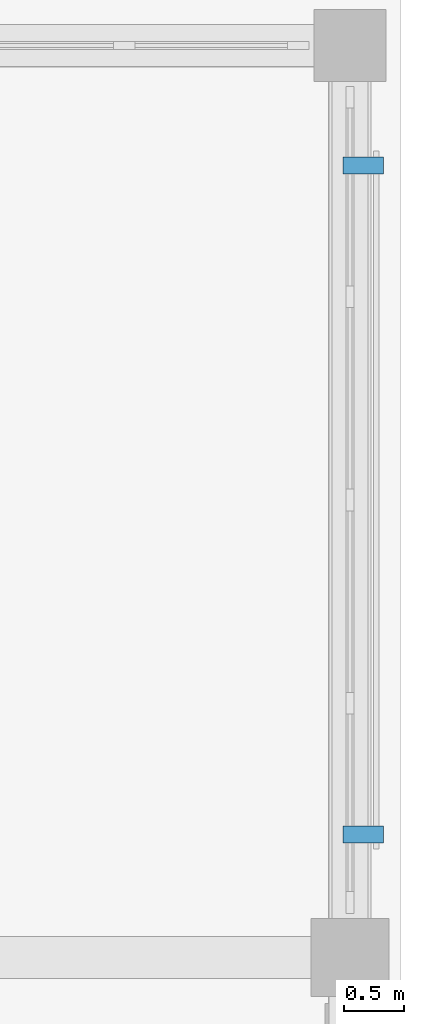
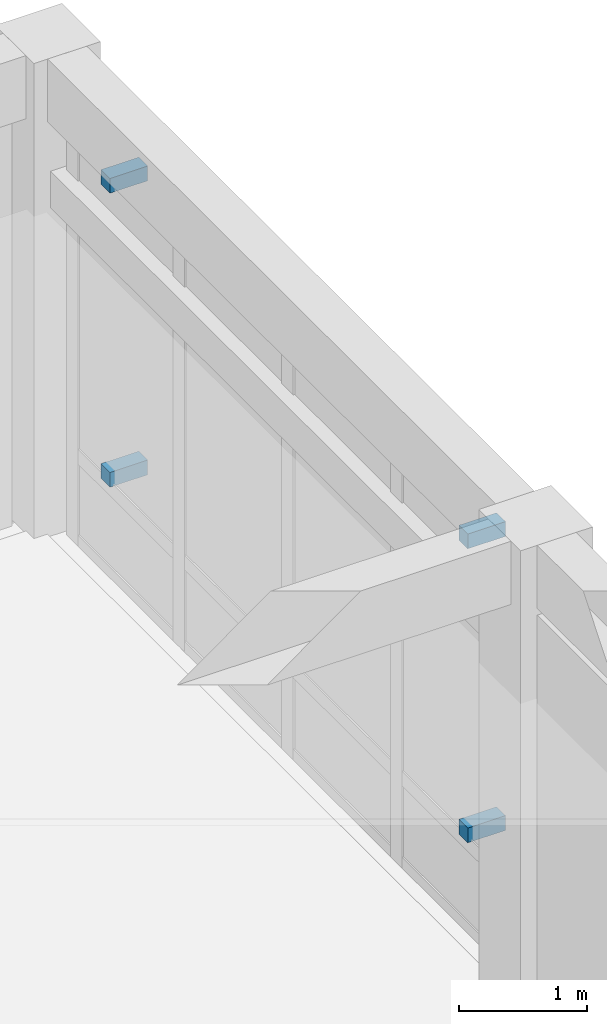
# One storey, part 45 of 49: 4 discrete accessories.
"""IFC4 building model written with IfcOpenShell, lengths in metres."""

from ifc_helpers import new_model, si_unit, direction, frame, origin, origin_2d, place, context, subcontext, project, spatial, rectangle, extrude, material, type_object, element, save


model = new_model("IFC4")

# Units and contexts
model_context = context("Model", 3, precision=1e-05, world=origin(), true_north=direction((0.0, 1.0)))
body_context = subcontext(model_context, "Body", "Model", "MODEL_VIEW")
ifc_project = project(units=[si_unit("LENGTHUNIT", "METRE"), si_unit("AREAUNIT", "SQUARE_METRE"), si_unit("VOLUMEUNIT", "CUBIC_METRE"), si_unit("PLANEANGLEUNIT", "RADIAN"), si_unit("MASSUNIT", "GRAM", prefix="KILO")], contexts=[model_context])

# Site, building, storey
site_placement = place(None, origin())
site = spatial("IfcSite", under=ifc_project, at=site_placement, CompositionType="ELEMENT")
building_placement = place(site_placement, origin())
building = spatial("IfcBuilding", under=site, at=building_placement, Name="Qandaris Square Conservatory and Botanical Centre", CompositionType="ELEMENT")
storey_placement = place(building_placement, frame((0.0, 0.0, 10.199951171875)))
storey = spatial("IfcBuildingStorey", under=building, at=storey_placement, Name="L02", CompositionType="ELEMENT", Elevation=10.199951171875)

# Discrete accessories
ifc_material = material(Name="Steel S355", Category="steel")
discrete_accessory_type = type_object("IfcDiscreteAccessoryType", Name="Mashrabiya Support Outrigger Bracket", PredefinedType="BRACKET", material=ifc_material)
for number, where, z_axis, x_axis, name in (
    (1, (163.909912109375, 93.625, 0.89990234375), (0.0, 0.0, 1.0), (0.0, 1.0, 0.0), "Mashrabiya Bracket CW-TWR-L02-2-11-BRK-6-112"),
    (2, (163.909912109375, 93.625, 3.6953125), (0.0, 0.0, 1.0), (0.0, 1.0, 0.0), "Mashrabiya Bracket CW-TWR-L02-2-11-BRK-6-140"),
    (3, (163.909912109375, 99.199951171875, 0.89990234375), (0.0, 0.0, 1.0), (0.0, 1.0, 0.0), "Mashrabiya Bracket CW-TWR-L02-2-11-BRK-62-112"),
    (4, (163.909912109375, 99.199951171875, 3.6953125), (0.0, 0.0, 1.0), (0.0, 1.0, 0.0), "Mashrabiya Bracket CW-TWR-L02-2-11-BRK-62-140"),
):
    element("IfcDiscreteAccessory", number, at=place(storey_placement, frame(where, z_axis=z_axis, x_axis=x_axis)), inside=storey, type_object=discrete_accessory_type, Name=name, PredefinedType="BRACKET", context=body_context, shape_type="SweptSolid", body=[
        extrude(rectangle(XDim=0.139892578125, YDim=0.340087890625, at=origin_2d()), origin(), (0.0, 0.0, 1.0), 0.139892578125),
    ])

save(model, "model.ifc")
